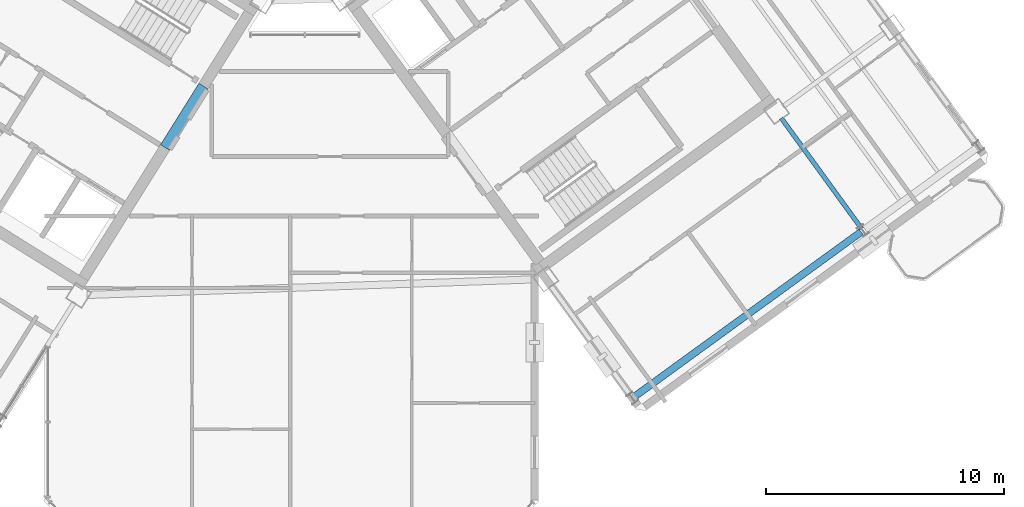
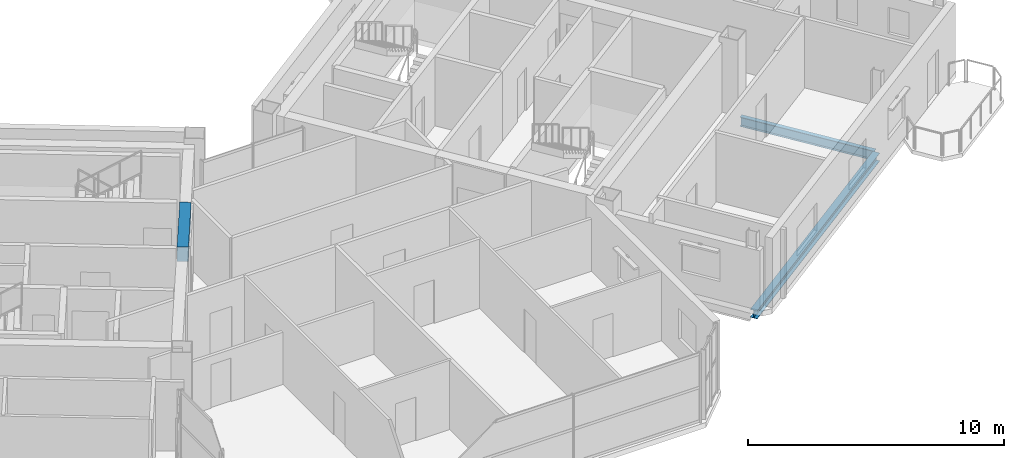
# One storey, part 11 of 27: 3 beams.
"""IFC4 building model written with IfcOpenShell, lengths in metres."""

import ifcopenshell
import ifcopenshell.guid

model = None  # the IFC model being written
_history = None  # IfcOwnerHistory: only IFC2X3 demands one
_inside = {}  # id of a spatial element -> (the spatial element, [elements in it])
_under = {}  # id of a project, library or spatial element -> (it, [spatial elements below it])
_declared = {}  # id of a project -> (the project, [libraries it declares])
_typed = {}  # id of a type object -> (the type object, [elements of that type])
_made_of = {}  # id of a material, layer set ... -> (it, [elements and type objects made of it])


def new_model(schema):
    """Start an empty IFC model of exactly this schema.

    Asked for "IFC4X3", IfcOpenShell would pick the latest addendum, in which some entities
    have other attributes; the version numbers below select the first issue.
    IFC2X3 requires an IfcOwnerHistory on every rooted entity: one is made here for all.
    """
    global model, _history
    if schema == "IFC4X3":
        model = ifcopenshell.file(schema_version=(4, 3, 0, 0))
    else:
        model = ifcopenshell.file(schema=schema)
    _inside.clear()
    _under.clear()
    _declared.clear()
    _typed.clear()
    _made_of.clear()
    _history = None
    if model.schema == "IFC2X3":
        org = make("IfcOrganization", Name="unknown")
        user = make(
            "IfcPersonAndOrganization",
            ThePerson=make("IfcPerson", FamilyName="unknown"),
            TheOrganization=org,
        )
        app = make(
            "IfcApplication",
            ApplicationDeveloper=org,
            Version="unknown",
            ApplicationFullName="unknown",
            ApplicationIdentifier="unknown",
        )
        _history = make(
            "IfcOwnerHistory",
            OwningUser=user,
            OwningApplication=app,
            ChangeAction="ADDED",
            CreationDate=0,
        )
    return model


def make(cls, **values):
    """One entity of the class cls with the attributes given. An attribute that is None is left unset."""
    return model.create_entity(
        cls, **{name: value for name, value in values.items() if value is not None}
    )


def rooted(cls, **values):
    """An entity with a GlobalId (a new one), such as an element, a storey or a relation."""
    return make(cls, GlobalId=ifcopenshell.guid.new(), OwnerHistory=_history, **values)


def si_unit(unit_type, name, prefix=None):
    """IfcSIUnit, for example si_unit("LENGTHUNIT", "METRE", prefix="MILLI")."""
    return make("IfcSIUnit", UnitType=unit_type, Prefix=prefix, Name=name)


def assignment(units):
    """IfcUnitAssignment: the units of a project."""
    return None if units is None else make("IfcUnitAssignment", Units=units)


def point(xyz):
    """IfcCartesianPoint."""
    return None if xyz is None else make("IfcCartesianPoint", Coordinates=xyz)


def direction(xyz):
    """IfcDirection."""
    return None if xyz is None else make("IfcDirection", DirectionRatios=xyz)


def frame(location, z_axis=None, x_axis=None):
    """IfcAxis2Placement3D, a coordinate frame: its origin and axes. An axis left out is left unset."""
    return make(
        "IfcAxis2Placement3D",
        Location=point(location),
        Axis=direction(z_axis),
        RefDirection=direction(x_axis),
    )


def frame_2d(location, x_axis=None):
    """IfcAxis2Placement2D, a coordinate frame in the plane: its origin and x axis."""
    return make(
        "IfcAxis2Placement2D", Location=point(location), RefDirection=direction(x_axis)
    )


def origin():
    """The frame at (0, 0, 0) with its axes left unset."""
    return frame((0.0, 0.0, 0.0))


def origin_2d():
    """The frame at (0, 0) in the plane with its x axis left unset."""
    return frame_2d((0.0, 0.0))


def place(relative_to, where):
    """IfcLocalPlacement: puts the frame where relative to a parent placement (None: the world)."""
    return make(
        "IfcLocalPlacement", PlacementRelTo=relative_to, RelativePlacement=where
    )


def context(
    kind, dimensions, precision=None, world=None, true_north=None, identifier=None
):
    """IfcGeometricRepresentationContext, for example the 3D "Model" context."""
    return make(
        "IfcGeometricRepresentationContext",
        ContextIdentifier=identifier,
        ContextType=kind,
        CoordinateSpaceDimension=dimensions,
        Precision=precision,
        WorldCoordinateSystem=world,
        TrueNorth=true_north,
    )


def subcontext(parent, identifier, kind, view, scale=None):
    """IfcGeometricRepresentationSubContext, for example "Body" below "Model"."""
    return make(
        "IfcGeometricRepresentationSubContext",
        ContextIdentifier=identifier,
        ContextType=kind,
        ParentContext=parent,
        TargetScale=scale,
        TargetView=view,
    )


def project(units=None, contexts=None):
    """IfcProject with its units and contexts."""
    return rooted(
        "IfcProject",
        Name="project",
        RepresentationContexts=contexts,
        UnitsInContext=assignment(units),
    )


def spatial(cls, under=None, at=None, **own):
    """A site, building, storey or space (cls), placed at a placement, below another one or the project."""
    s = rooted(cls, ObjectPlacement=at, **own)
    if under is not None:
        _under.setdefault(under.id(), (under, []))[1].append(s)
    return s


def profile(cls, at=None, kind="AREA", **sizes):
    """A parametric profile (cls). Its sizes go by their IFC names, for example OverallWidth=200.0."""
    return make(cls, ProfileType=kind, Position=at, **sizes)


def rectangle(**sizes):
    """IfcRectangleProfileDef."""
    return profile("IfcRectangleProfileDef", **sizes)


def i_section(**sizes):
    """IfcIShapeProfileDef."""
    return profile("IfcIShapeProfileDef", **sizes)


def extrude(swept, where, along, depth):
    """IfcExtrudedAreaSolid: the profile swept, set in the frame where, extruded along a direction by depth."""
    return make(
        "IfcExtrudedAreaSolid",
        SweptArea=swept,
        Position=where,
        ExtrudedDirection=direction(along),
        Depth=depth,
    )


def shape(context_of_items, identifier, shape_type, items):
    """IfcShapeRepresentation: the items that make up one representation, for example the "Body"."""
    return make(
        "IfcShapeRepresentation",
        ContextOfItems=context_of_items,
        RepresentationIdentifier=identifier,
        RepresentationType=shape_type,
        Items=items,
    )


def source(mapping_origin, context_of_items, identifier, shape_type, items):
    """IfcRepresentationMap: a shape defined once, which mapped items show again and again."""
    return make(
        "IfcRepresentationMap",
        MappingOrigin=mapping_origin,
        MappedRepresentation=shape(context_of_items, identifier, shape_type, items),
    )


def transform(
    local_origin,
    x_axis=None,
    y_axis=None,
    z_axis=None,
    scale=None,
    scale2=None,
    scale3=None,
    uniform=True,
):
    """IfcCartesianTransformationOperator3D, or its non-uniform kind. x_axis, y_axis, z_axis: its Axis1, 2, 3."""
    if uniform:
        return make(
            "IfcCartesianTransformationOperator3D",
            Axis1=direction(x_axis),
            Axis2=direction(y_axis),
            LocalOrigin=point(local_origin),
            Scale=scale,
            Axis3=direction(z_axis),
        )
    return make(
        "IfcCartesianTransformationOperator3DnonUniform",
        Axis1=direction(x_axis),
        Axis2=direction(y_axis),
        LocalOrigin=point(local_origin),
        Scale=scale,
        Axis3=direction(z_axis),
        Scale2=scale2,
        Scale3=scale3,
    )


def mapped(mapping_source, mapping_target):
    """IfcMappedItem: shows the shape of a source again, moved by a transform."""
    return make(
        "IfcMappedItem", MappingSource=mapping_source, MappingTarget=mapping_target
    )


def material(Name=None, Category=None):
    """IfcMaterial."""
    return make("IfcMaterial", Name=Name, Category=Category)


def material_profile(
    of_material, cross_section, Name=None, Category=None, Priority=None
):
    """IfcMaterialProfile: a cross section and its material."""
    return make(
        "IfcMaterialProfile",
        Name=Name,
        Material=of_material,
        Profile=cross_section,
        Priority=Priority,
        Category=Category,
    )


def profile_set(profiles, Name=None, composite=None):
    """IfcMaterialProfileSet."""
    return make(
        "IfcMaterialProfileSet",
        Name=Name,
        MaterialProfiles=profiles,
        CompositeProfile=composite,
    )


def made_of(thing, what):
    """Note that an element or type object is made of a material, layer set ...; save() writes the relation."""
    if what is not None:
        _made_of.setdefault(what.id(), (what, []))[1].append(thing)
    return thing


def type_object(cls, material=None, **own):
    """A type object (cls), such as IfcWallType, which elements share."""
    return made_of(rooted(cls, **own), material)


def element(
    cls,
    number,
    at=None,
    inside=None,
    cuts=None,
    type_object=None,
    material=None,
    context=None,
    identifier="Body",
    shape_type=None,
    held_by="IfcProductDefinitionShape",
    body=None,
    shapes=None,
    **own,
):
    """One element of the class cls, such as IfcWall. Its Tag is "e" and its number.

    at: its placement. inside: the storey or other place that contains it. cuts: it is an
    opening in that element (IfcRelVoidsElement). A single representation is given by context,
    identifier, shape_type and body (its items); several are given by shapes. held_by: the class
    of the entity that holds the representations. save() writes the other relations.
    """
    e = rooted(cls, Tag="e%d" % number, ObjectPlacement=at, **own)
    if body is not None:
        shapes = [shape(context, identifier, shape_type, body)]
    if shapes is not None:
        e.Representation = make(held_by, Representations=shapes)
    if inside is not None:
        _inside.setdefault(inside.id(), (inside, []))[1].append(e)
    if cuts is not None:
        rooted(
            "IfcRelVoidsElement", RelatingBuildingElement=cuts, RelatedOpeningElement=e
        )
    if type_object is not None:
        _typed.setdefault(type_object.id(), (type_object, []))[1].append(e)
    return made_of(e, material)


def aggregate(whole, parts):
    """IfcRelAggregates: a whole, such as a stair, and the parts it consists of."""
    return rooted("IfcRelAggregates", RelatingObject=whole, RelatedObjects=parts)


def save(model, path):
    """Write the relations noted so far, then the file.

    IfcRelAggregates (storeys below a building ...), IfcRelContainedInSpatialStructure (elements
    in a storey), IfcRelDefinesByType, IfcRelAssociatesMaterial and IfcRelDeclares: one each for
    every whole, place, type object, material and project.
    """
    for whole, parts in _under.values():
        aggregate(whole, parts)
    for where, things in _inside.values():
        rooted(
            "IfcRelContainedInSpatialStructure",
            RelatedElements=things,
            RelatingStructure=where,
        )
    for kind, things in _typed.values():
        rooted("IfcRelDefinesByType", RelatedObjects=things, RelatingType=kind)
    for what, things in _made_of.values():
        rooted("IfcRelAssociatesMaterial", RelatedObjects=things, RelatingMaterial=what)
    for by, libraries in _declared.values():
        rooted("IfcRelDeclares", RelatingContext=by, RelatedDefinitions=libraries)
    model.write(path)


model = new_model("IFC4")

# Units and contexts
model_context = context("Model", 3, precision=1e-05, world=origin(), true_north=direction((0.0, 1.0)))
body_context = subcontext(model_context, "Body", "Model", "MODEL_VIEW")
ifc_project = project(units=[si_unit("LENGTHUNIT", "METRE"), si_unit("AREAUNIT", "SQUARE_METRE"), si_unit("VOLUMEUNIT", "CUBIC_METRE"), si_unit("PLANEANGLEUNIT", "RADIAN"), si_unit("MASSUNIT", "GRAM", prefix="KILO")], contexts=[model_context])

# Site, building, storey
site_placement = place(None, origin())
site = spatial("IfcSite", under=ifc_project, at=site_placement, CompositionType="ELEMENT")
building_placement = place(site_placement, origin())
building = spatial("IfcBuilding", under=site, at=building_placement, Name="Tlacorven Tower", CompositionType="ELEMENT")
storey_placement = place(building_placement, frame((0.0, 0.0, 242.10009765625)))
storey = spatial("IfcBuildingStorey", under=building, at=storey_placement, Name="L61", CompositionType="ELEMENT", Elevation=242.10009765625)

# Beams
ifc_material_1 = material(Name="Concrete C60/75", Category="concrete")
ifc_material_profile_1 = material_profile(ifc_material_1, rectangle(XDim=0.449951171875, YDim=0.699951171875, at=origin_2d()), Name="RC 450X700")
ifc_profile_set_1 = profile_set([ifc_material_profile_1], Name="Concrete C60/75")
beam_type_1 = type_object("IfcBeamType", Name="BM-LNT-700", PredefinedType="LINTEL", material=ifc_profile_set_1)
shared_shape_1 = source(origin(), body_context, "Body", "SweptSolid", [
    extrude(rectangle(XDim=0.449951171875, YDim=0.699951171875, at=origin_2d()), origin(), (0.0, 0.0, 1.0), 3.050048828125),
])
beam_1_placement = place(storey_placement, frame((38.2998046875, 20.890625, 2.969970703125), z_axis=(-0.529984549635, -0.848007297815, 0.0), x_axis=(0.848007297815, -0.529984549635, 0.0)))
element("IfcBeam", 1, at=beam_1_placement, inside=storey, type_object=beam_type_1, Name="L61 W core coupling lintel beam E1", PredefinedType="LINTEL", context=body_context, shape_type="MappedRepresentation", body=[
    mapped(shared_shape_1, transform((0.0, 0.0, 0.0), scale=1.0)),
])
ifc_material_2 = material(Name="Steel S355J2", Category="steel")
ifc_material_profile_2 = material_profile(ifc_material_2, i_section(OverallWidth=0.300048828125, OverallDepth=0.389892578125, WebThickness=0.010986328125, FlangeThickness=0.01904296875, at=origin_2d()), Name="HEA 400")
ifc_profile_set_2 = profile_set([ifc_material_profile_2], Name="Steel S355J2")
beam_type_2 = type_object("IfcBeamType", Name="BM-SPN-400", PredefinedType="SPANDREL", material=ifc_profile_set_2)
shared_shape_2 = source(origin(), body_context, "Body", "SweptSolid", [
    extrude(i_section(OverallWidth=0.300048828125, OverallDepth=0.389892578125, WebThickness=0.010986328125, FlangeThickness=0.01904296875, at=origin_2d()), origin(), (0.0, 0.0, 1.0), 11.800048828125),
])
beam_2_placement = place(storey_placement, frame((56.4306640625, 7.816162109375, -0.445068359375), z_axis=(0.80900977213, 0.587795192732, 0.0), x_axis=(-0.587795192732, 0.80900977213, 0.0)))
element("IfcBeam", 2, at=beam_2_placement, inside=storey, type_object=beam_type_2, Name="L61 beam BM-L61-EL1-1", PredefinedType="SPANDREL", context=body_context, shape_type="MappedRepresentation", body=[
    mapped(shared_shape_2, transform((0.0, 0.0, 0.0), scale=1.0)),
])
ifc_material_profile_3 = material_profile(ifc_material_2, i_section(OverallWidth=0.18994140625, OverallDepth=0.449951171875, WebThickness=0.009521484375, FlangeThickness=0.0146484375, at=origin_2d()), Name="IPE 450")
ifc_profile_set_3 = profile_set([ifc_material_profile_3], Name="Steel S355J2")
beam_type_3 = type_object("IfcBeamType", Name="BM-TWR-450", PredefinedType="BEAM", material=ifc_profile_set_3)
shared_shape_3 = source(origin(), body_context, "Body", "SweptSolid", [
    extrude(i_section(OverallWidth=0.18994140625, OverallDepth=0.449951171875, WebThickness=0.009521484375, FlangeThickness=0.0146484375, at=origin_2d()), origin(), (0.0, 0.0, 1.0), 5.75),
])
beam_3_placement = place(storey_placement, frame((65.9990234375, 14.891845703125, -0.47509765625), z_axis=(-0.587770208527, 0.809027924097, 0.0), x_axis=(-0.809027924097, -0.587770208527, 0.0)))
element("IfcBeam", 3, at=beam_3_placement, inside=storey, type_object=beam_type_3, Name="L61 beam BM-L61-ET3-1", PredefinedType="BEAM", context=body_context, shape_type="MappedRepresentation", body=[
    mapped(shared_shape_3, transform((0.0, 0.0, 0.0), scale=1.0)),
])

save(model, "model.ifc")
